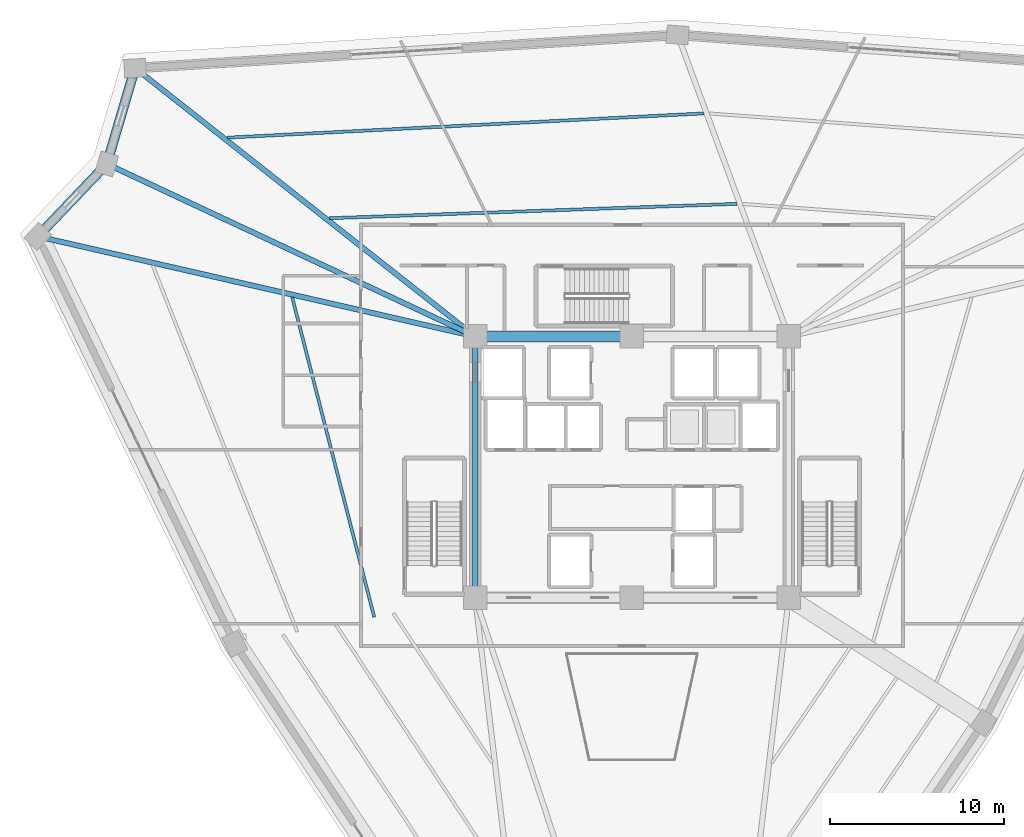
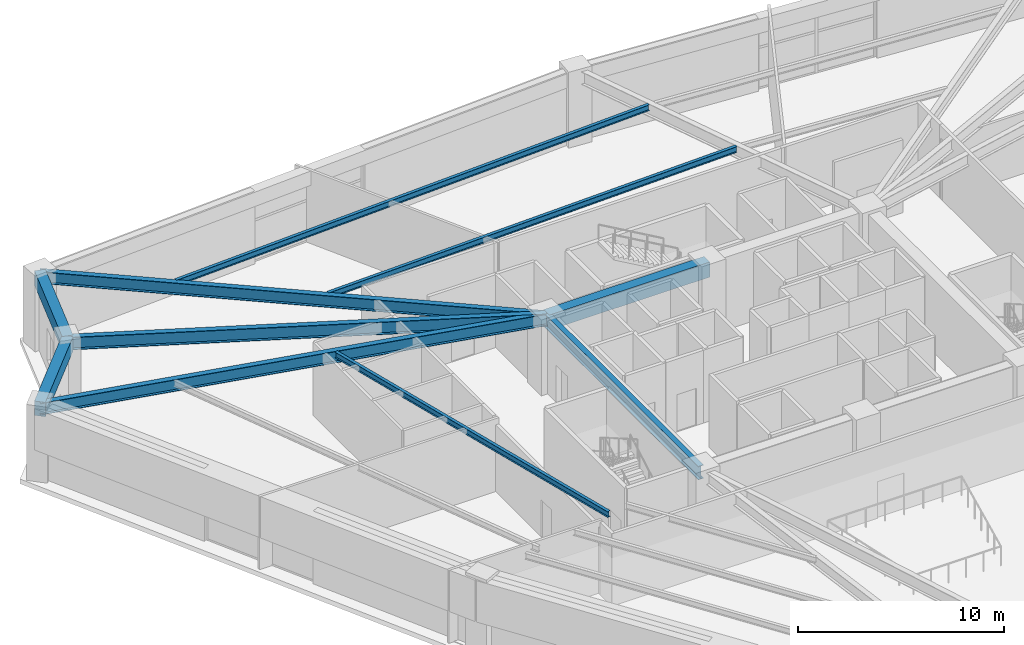
# One storey, part 17 of 39: 10 beams.
"""IFC4 building model written with IfcOpenShell, lengths in metres."""

from ifc_helpers import new_model, si_unit, direction, frame, origin, origin_2d, place, context, subcontext, project, spatial, rectangle, i_section, extrude, source, transform, mapped, material, material_profile, profile_set, type_object, element, save


model = new_model("IFC4")

# Units and contexts
model_context = context("Model", 3, precision=1e-05, world=origin(), true_north=direction((0.0, 1.0)))
body_context = subcontext(model_context, "Body", "Model", "MODEL_VIEW")
ifc_project = project(units=[si_unit("LENGTHUNIT", "METRE"), si_unit("AREAUNIT", "SQUARE_METRE"), si_unit("VOLUMEUNIT", "CUBIC_METRE"), si_unit("PLANEANGLEUNIT", "RADIAN"), si_unit("MASSUNIT", "GRAM", prefix="KILO")], contexts=[model_context])

# Site, building, storey
site_placement = place(None, origin())
site = spatial("IfcSite", under=ifc_project, at=site_placement, CompositionType="ELEMENT")
building_placement = place(site_placement, origin())
building = spatial("IfcBuilding", under=site, at=building_placement, Name="Liaohun Quay Tower", CompositionType="ELEMENT")
storey_placement = place(building_placement, frame((0.0, 0.0, 189.75)))
storey = spatial("IfcBuildingStorey", under=building, at=storey_placement, Name="L49", CompositionType="ELEMENT", Elevation=189.75)

# Beams
ifc_material_1 = material(Name="Steel Q355D", Category="steel")
ifc_material_profile_1 = material_profile(ifc_material_1, i_section(OverallWidth=0.300048828125, OverallDepth=0.800048828125, WebThickness=0.013916015625, FlangeThickness=0.02587890625, at=origin_2d()), Name="HN800x300x14x26")
ifc_profile_set_1 = profile_set([ifc_material_profile_1], Name="Steel Q355D")
beam_type_1 = type_object("IfcBeamType", Name="BM-RAD-M1", PredefinedType="BEAM", material=ifc_profile_set_1)
shared_shape_1 = source(origin(), body_context, "Body", "SweptSolid", [
    extrude(i_section(OverallWidth=0.300048828125, OverallDepth=0.800048828125, WebThickness=0.013916015625, FlangeThickness=0.02587890625, at=origin_2d()), origin(), (0.0, 0.0, 1.0), 15.0),
])
beam_1_placement = place(storey_placement, frame((51.0, 61.5, 3.919921875), z_axis=(0.0, -1.0, 0.0), x_axis=(1.0, 0.0, 0.0)))
element("IfcBeam", 1, at=beam_1_placement, inside=storey, type_object=beam_type_1, Name="L49 Core Coupling/Ring Beam CC6-CC1", PredefinedType="BEAM", context=body_context, shape_type="MappedRepresentation", body=[
    mapped(shared_shape_1, transform((0.0, 0.0, 0.0), x_axis=(1.0, 0.0, 0.0), y_axis=(0.0, 1.0, 0.0), z_axis=(0.0, 0.0, 1.0), scale=1.0)),
])
ifc_material_profile_2 = material_profile(ifc_material_1, i_section(OverallWidth=0.300048828125, OverallDepth=0.75, WebThickness=0.013916015625, FlangeThickness=0.02587890625, at=origin_2d()), Name="HN750x300x14x26")
ifc_profile_set_2 = profile_set([ifc_material_profile_2], Name="Steel Q355D")
beam_type_2 = type_object("IfcBeamType", Name="BM-RAD-M2", PredefinedType="BEAM", material=ifc_profile_set_2)
shared_shape_2 = source(origin(), body_context, "Body", "SweptSolid", [
    extrude(i_section(OverallWidth=0.300048828125, OverallDepth=0.75, WebThickness=0.013916015625, FlangeThickness=0.02587890625, at=origin_2d()), origin(), (0.0, 0.0, 1.0), 23.347412109375),
])
beam_2_placement = place(storey_placement, frame((51.0, 61.5, 3.945068359375), z_axis=(-0.905586236327, 0.424162196071, 0.0), x_axis=(-0.424162196071, -0.905586236327, 0.0)))
element("IfcBeam", 2, at=beam_2_placement, inside=storey, type_object=beam_type_2, Name="L49 Radial Primary Girder CC6-PC04", PredefinedType="BEAM", context=body_context, shape_type="MappedRepresentation", body=[
    mapped(shared_shape_2, transform((0.0, 0.0, 0.0), x_axis=(1.0, 0.0, 0.0), y_axis=(0.0, 1.0, 0.0), z_axis=(0.0, 0.0, 1.0), scale=1.0)),
])
ifc_material_2 = material(Name="Concrete C55", Category="concrete")
ifc_material_profile_3 = material_profile(ifc_material_2, rectangle(XDim=0.550048828125, YDim=0.89990234375, at=origin_2d()), Name="RC550x900")
ifc_profile_set_3 = profile_set([ifc_material_profile_3], Name="Concrete C55")
beam_type_3 = type_object("IfcBeamType", Name="BM-CPL-2", PredefinedType="LINTEL", material=ifc_profile_set_3)
shared_shape_3 = source(origin(), body_context, "Body", "SweptSolid", [
    extrude(rectangle(XDim=0.550048828125, YDim=0.89990234375, at=origin_2d()), origin(), (0.0, 0.0, 1.0), 9.0),
])
beam_3_placement = place(storey_placement, frame((60.0, 61.5, 3.8701171875), z_axis=(-1.0, 0.0, 0.0), x_axis=(0.0, -1.0, 0.0)))
element("IfcBeam", 3, at=beam_3_placement, inside=storey, type_object=beam_type_3, Name="L49 Core Coupling/Ring Beam CC5-CC6", PredefinedType="LINTEL", context=body_context, shape_type="MappedRepresentation", body=[
    mapped(shared_shape_3, transform((0.0, 0.0, 0.0), x_axis=(1.0, 0.0, 0.0), y_axis=(0.0, 1.0, 0.0), z_axis=(0.0, 0.0, 1.0), scale=1.0)),
])
ifc_material_3 = material(Name="Precast concrete C50", Category="concrete")
ifc_material_profile_4 = material_profile(ifc_material_3, rectangle(XDim=0.550048828125, YDim=0.85009765625, at=origin_2d()), Name="RC550x850")
ifc_profile_set_4 = profile_set([ifc_material_profile_4], Name="Precast concrete C50")
beam_type_4 = type_object("IfcBeamType", Name="BM-SPD-Z3", PredefinedType="SPANDREL", material=ifc_profile_set_4)
shared_shape_4 = source(origin(), body_context, "Body", "SweptSolid", [
    extrude(rectangle(XDim=0.550048828125, YDim=0.85009765625, at=origin_2d()), origin(), (0.0, 0.0, 1.0), 5.74560546875),
])
beam_4_placement = place(storey_placement, frame((25.89599609375, 67.240966796875, 3.89501953125), z_axis=(0.689383501103, 0.724396568467, 0.0), x_axis=(-0.724396568467, 0.689383501103, 0.0)))
element("IfcBeam", 4, at=beam_4_placement, inside=storey, type_object=beam_type_4, Name="L49 Precast Spandrel Beam PC03-PC04", PredefinedType="SPANDREL", context=body_context, shape_type="MappedRepresentation", body=[
    mapped(shared_shape_4, transform((0.0, 0.0, 0.0), x_axis=(1.0, 0.0, 0.0), y_axis=(0.0, 1.0, 0.0), z_axis=(0.0, 0.0, 1.0), scale=1.0)),
])
shared_shape_5 = source(origin(), body_context, "Body", "SweptSolid", [
    extrude(rectangle(XDim=0.550048828125, YDim=0.85009765625, at=origin_2d()), origin(), (0.0, 0.0, 1.0), 5.737060546875),
])
beam_5_placement = place(storey_placement, frame((29.85693359375, 71.403076171875, 3.89501953125), z_axis=(0.282737653875, 0.9591972785, 0.0), x_axis=(-0.9591972785, 0.282737653875, 0.0)))
element("IfcBeam", 5, at=beam_5_placement, inside=storey, type_object=beam_type_4, Name="L49 Precast Spandrel Beam PC04-PC05", PredefinedType="SPANDREL", context=body_context, shape_type="MappedRepresentation", body=[
    mapped(shared_shape_5, transform((0.0, 0.0, 0.0), x_axis=(1.0, 0.0, 0.0), y_axis=(0.0, 1.0, 0.0), z_axis=(0.0, 0.0, 1.0), scale=1.0)),
])
ifc_material_profile_5 = material_profile(ifc_material_1, i_section(OverallWidth=0.300048828125, OverallDepth=0.699951171875, WebThickness=0.012939453125, FlangeThickness=0.02392578125, at=origin_2d()), Name="HN700x300x13x24")
ifc_profile_set_5 = profile_set([ifc_material_profile_5], Name="Steel Q355D")
beam_type_5 = type_object("IfcBeamType", Name="BM-RAD-U1", PredefinedType="BEAM", material=ifc_profile_set_5)
shared_shape_6 = source(origin(), body_context, "Body", "SweptSolid", [
    extrude(i_section(OverallWidth=0.300048828125, OverallDepth=0.699951171875, WebThickness=0.012939453125, FlangeThickness=0.02392578125, at=origin_2d()), origin(), (0.0, 0.0, 1.0), 25.752197265625),
])
beam_6_placement = place(storey_placement, frame((51.0, 61.5, 3.969970703125), z_axis=(-0.974833964827, 0.222932144428, 0.0), x_axis=(-0.222932144428, -0.974833964827, 0.0)))
element("IfcBeam", 6, at=beam_6_placement, inside=storey, type_object=beam_type_5, Name="L49 Radial Primary Girder CC6-PC03", PredefinedType="BEAM", context=body_context, shape_type="MappedRepresentation", body=[
    mapped(shared_shape_6, transform((0.0, 0.0, 0.0), x_axis=(1.0, 0.0, 0.0), y_axis=(0.0, 1.0, 0.0), z_axis=(0.0, 0.0, 1.0), scale=1.0)),
])
shared_shape_7 = source(origin(), body_context, "Body", "SweptSolid", [
    extrude(i_section(OverallWidth=0.300048828125, OverallDepth=0.699951171875, WebThickness=0.012939453125, FlangeThickness=0.02392578125, at=origin_2d()), origin(), (0.0, 0.0, 1.0), 24.867919921875),
])
beam_7_placement = place(storey_placement, frame((51.0, 61.5, 3.969970703125), z_axis=(-0.784986541769, 0.619512816044, 0.0), x_axis=(-0.619512816044, -0.784986541769, 0.0)))
element("IfcBeam", 7, at=beam_7_placement, inside=storey, type_object=beam_type_5, Name="L49 Radial Primary Girder CC6-PC05", PredefinedType="BEAM", context=body_context, shape_type="MappedRepresentation", body=[
    mapped(shared_shape_7, transform((0.0, 0.0, 0.0), x_axis=(1.0, 0.0, 0.0), y_axis=(0.0, 1.0, 0.0), z_axis=(0.0, 0.0, 1.0), scale=1.0)),
])
ifc_material_profile_6 = material_profile(ifc_material_1, i_section(OverallWidth=0.175048828125, OverallDepth=0.35009765625, WebThickness=0.007080078125, FlangeThickness=0.010986328125, at=origin_2d()), Name="HN350x175x7x11")
ifc_profile_set_6 = profile_set([ifc_material_profile_6], Name="Steel Q355D")
beam_type_6 = type_object("IfcBeamType", Name="BM-SEC-J3", PredefinedType="JOIST", material=ifc_profile_set_6)
shared_shape_8 = source(origin(), body_context, "Body", "SweptSolid", [
    extrude(i_section(OverallWidth=0.175048828125, OverallDepth=0.35009765625, WebThickness=0.007080078125, FlangeThickness=0.010986328125, at=origin_2d()), origin(), (0.0, 0.0, 1.0), 18.948974609375),
])
beam_8_placement = place(storey_placement, frame((45.205078125, 45.39306640625, 4.14501953125), z_axis=(-0.248406348396, 0.968655917277, 0.0), x_axis=(-0.968655917277, -0.248406348396, 0.0)))
element("IfcBeam", 8, at=beam_8_placement, inside=storey, type_object=beam_type_6, Name="L49 Wing Secondary Floor Joist SJ-04", PredefinedType="JOIST", context=body_context, shape_type="MappedRepresentation", body=[
    mapped(shared_shape_8, transform((0.0, 0.0, 0.0), x_axis=(1.0, 0.0, 0.0), y_axis=(0.0, 1.0, 0.0), z_axis=(0.0, 0.0, 1.0), scale=1.0)),
])
shared_shape_9 = source(origin(), body_context, "Body", "SweptSolid", [
    extrude(i_section(OverallWidth=0.175048828125, OverallDepth=0.35009765625, WebThickness=0.007080078125, FlangeThickness=0.010986328125, at=origin_2d()), origin(), (0.0, 0.0, 1.0), 23.406494140625),
])
beam_9_placement = place(storey_placement, frame((42.64306640625, 68.287109375, 4.14501953125), z_axis=(0.999378712478, 0.035244702383, 0.0), x_axis=(-0.035244702383, 0.999378712478, 0.0)))
element("IfcBeam", 9, at=beam_9_placement, inside=storey, type_object=beam_type_6, Name="L49 Wing Secondary Floor Joist SJ-06", PredefinedType="JOIST", context=body_context, shape_type="MappedRepresentation", body=[
    mapped(shared_shape_9, transform((0.0, 0.0, 0.0), x_axis=(1.0, 0.0, 0.0), y_axis=(0.0, 1.0, 0.0), z_axis=(0.0, 0.0, 1.0), scale=1.0)),
])
shared_shape_10 = source(origin(), body_context, "Body", "SweptSolid", [
    extrude(i_section(OverallWidth=0.175048828125, OverallDepth=0.35009765625, WebThickness=0.007080078125, FlangeThickness=0.010986328125, at=origin_2d()), origin(), (0.0, 0.0, 1.0), 27.37548828125),
])
beam_10_placement = place(storey_placement, frame((36.781982421875, 72.912109375, 4.14501953125), z_axis=(0.998708481145, 0.050807181471, 0.0), x_axis=(-0.050807181471, 0.998708481145, 0.0)))
element("IfcBeam", 10, at=beam_10_placement, inside=storey, type_object=beam_type_6, Name="L49 Wing Secondary Floor Joist SJ-07", PredefinedType="JOIST", context=body_context, shape_type="MappedRepresentation", body=[
    mapped(shared_shape_10, transform((0.0, 0.0, 0.0), x_axis=(1.0, 0.0, 0.0), y_axis=(0.0, 1.0, 0.0), z_axis=(0.0, 0.0, 1.0), scale=1.0)),
])

save(model, "model.ifc")
